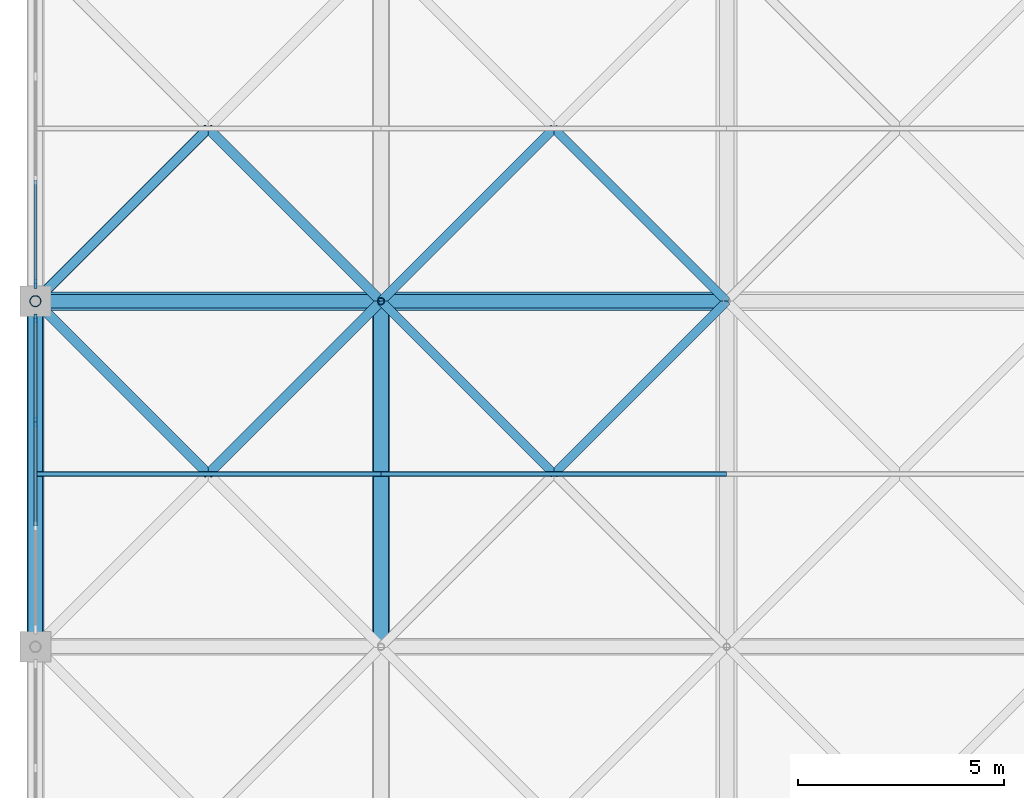
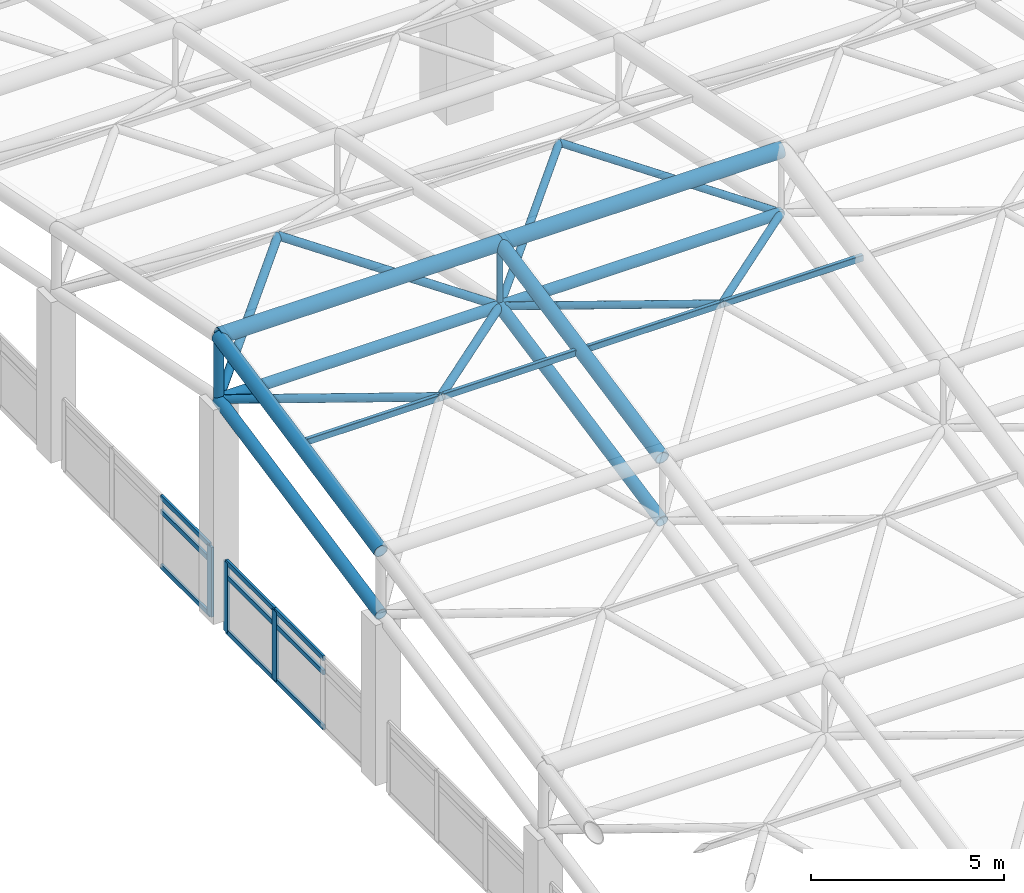
# One storey, part 28 of 81: 32 members, 2 elements without a shape of their own.
"""IFC4 building model written with IfcOpenShell, lengths in metres."""

from ifc_helpers import new_model, si_unit, direction, frame, origin, origin_2d, place, context, subcontext, project, spatial, rectangle, hollow_rectangle, hollow_circle, extrude, material, layer, layer_set, material_profile, profile_set, type_object, element, aggregate, save


model = new_model("IFC4")

# Units and contexts
model_context = context("Model", 3, precision=1e-05, world=origin(), true_north=direction((0.0, 1.0)))
body_context = subcontext(model_context, "Body", "Model", "MODEL_VIEW")
ifc_project = project(units=[si_unit("LENGTHUNIT", "METRE"), si_unit("AREAUNIT", "SQUARE_METRE"), si_unit("VOLUMEUNIT", "CUBIC_METRE"), si_unit("PLANEANGLEUNIT", "RADIAN"), si_unit("MASSUNIT", "GRAM", prefix="KILO")], contexts=[model_context])

# Site, building, storey
site_placement = place(None, origin())
site = spatial("IfcSite", under=ifc_project, at=site_placement, CompositionType="ELEMENT")
building_placement = place(site_placement, origin())
building = spatial("IfcBuilding", under=site, at=building_placement, Name="Qawsi Khor Wholesale Market", CompositionType="ELEMENT")
storey_placement = place(building_placement, frame((0.0, 0.0, 16.199951171875)))
storey = spatial("IfcBuildingStorey", under=building, at=storey_placement, Name="L03", CompositionType="ELEMENT", Elevation=16.199951171875)

# Curtain wall, members
ifc_material_1 = material(Name="Aluminium Anodised Bronze", Category="aluminium")
ifc_layer = layer(ifc_material_1, 0.199951171875, Name="Aluminium Anodised Bronze")
ifc_layer_set = layer_set([ifc_layer], Name="Aluminium Anodised Bronze")
curtain_wall_type = type_object("IfcCurtainWallType", Name="Trading Hall North-Light Curtain Wall CW-03", PredefinedType="NOTDEFINED", material=ifc_layer_set)
curtain_wall_1_placement = place(storey_placement, origin())
curtain_wall_1 = element("IfcCurtainWall", 1, at=curtain_wall_1_placement, inside=storey, type_object=curtain_wall_type, Name="Curtain wall CW-CW-03-L03-135", PredefinedType="NOTDEFINED")
ifc_material_profile_1 = material_profile(ifc_material_1, rectangle(XDim=0.074951171875, YDim=0.219970703125, at=origin_2d()), Name="ALU MULLION 75x220")
ifc_profile_set_1 = profile_set([ifc_material_profile_1], Name="Aluminium Anodised Bronze")
member_type_1 = type_object("IfcMemberType", Name="Curtain Wall Mullion CW-03 ALU MULLION 75x220", PredefinedType="MULLION", material=ifc_profile_set_1)
member_1_placement = place(storey_placement, frame((0.0, 72.6591796875, -0.300048828125), z_axis=(0.0, 0.0, 1.0), x_axis=(1.0, 0.0, 0.0)))
member_1 = element("IfcMember", 2, at=member_1_placement, type_object=member_type_1, Name="Mullion CW-CW-03-L03-135-M02", PredefinedType="MULLION", context=body_context, shape_type="SweptSolid", body=[
    extrude(rectangle(XDim=0.074951171875, YDim=0.219970703125, at=origin_2d()), origin(), (0.0, 0.0, 1.0), 2.2001953125),
])
member_2_placement = place(storey_placement, frame((0.0, 75.177490234375, -0.300048828125), z_axis=(0.0, 0.0, 1.0), x_axis=(1.0, 0.0, 0.0)))
member_2 = element("IfcMember", 3, at=member_2_placement, type_object=member_type_1, Name="Mullion CW-CW-03-L03-135-M03", PredefinedType="MULLION", context=body_context, shape_type="SweptSolid", body=[
    extrude(rectangle(XDim=0.074951171875, YDim=0.219970703125, at=origin_2d()), origin(), (0.0, 0.0, 1.0), 2.2001953125),
])

# Curtain wall, member
curtain_wall_2_placement = place(storey_placement, origin())
curtain_wall_2 = element("IfcCurtainWall", 4, at=curtain_wall_2_placement, inside=storey, type_object=curtain_wall_type, Name="Curtain wall CW-CW-03-L03-137", PredefinedType="NOTDEFINED")
member_3_placement = place(storey_placement, frame((0.0, 76.0224609375, -0.300048828125), z_axis=(0.0, 0.0, 1.0), x_axis=(1.0, 0.0, 0.0)))
member_3 = element("IfcMember", 5, at=member_3_placement, type_object=member_type_1, Name="Mullion CW-CW-03-L03-137-M00", PredefinedType="MULLION", context=body_context, shape_type="SweptSolid", body=[
    extrude(rectangle(XDim=0.074951171875, YDim=0.219970703125, at=origin_2d()), origin(), (0.0, 0.0, 1.0), 2.2001953125),
])

# Member
ifc_material_profile_2 = material_profile(ifc_material_1, rectangle(XDim=0.070068359375, YDim=0.14990234375, at=origin_2d()), Name="ALU TRANSOM 70x150")
ifc_profile_set_2 = profile_set([ifc_material_profile_2], Name="Aluminium Anodised Bronze")
member_type_2 = type_object("IfcMemberType", Name="Curtain Wall Transom CW-03 ALU TRANSOM 70x150", PredefinedType="USERDEFINED", material=ifc_profile_set_2)
member_4_placement = place(storey_placement, frame((0.0, 70.140869140625, -0.280029296875), z_axis=(0.0, 1.0, 0.0), x_axis=(-1.0, 0.0, 0.0)))
member_4 = element("IfcMember", 6, at=member_4_placement, type_object=member_type_2, Name="Transom CW-CW-03-L03-135-T0_01", ObjectType="TRANSOM", PredefinedType="USERDEFINED", context=body_context, shape_type="SweptSolid", body=[
    extrude(rectangle(XDim=0.070068359375, YDim=0.14990234375, at=origin_2d()), origin(), (0.0, 0.0, 1.0), 2.518310546875),
])

member_5_placement = place(storey_placement, frame((0.0, 72.6591796875, -0.280029296875), z_axis=(0.0, 1.0, 0.0), x_axis=(-1.0, 0.0, 0.0)))
member_5 = element("IfcMember", 7, at=member_5_placement, type_object=member_type_2, Name="Transom CW-CW-03-L03-135-T0_02", ObjectType="TRANSOM", PredefinedType="USERDEFINED", context=body_context, shape_type="SweptSolid", body=[
    extrude(rectangle(XDim=0.070068359375, YDim=0.14990234375, at=origin_2d()), origin(), (0.0, 0.0, 1.0), 2.518310546875),
])

member_6_placement = place(storey_placement, frame((0.0, 70.140869140625, 1.449951171875), z_axis=(0.0, 1.0, 0.0), x_axis=(-1.0, 0.0, 0.0)))
member_6 = element("IfcMember", 8, at=member_6_placement, type_object=member_type_2, Name="Transom CW-CW-03-L03-135-T1_01", ObjectType="TRANSOM", PredefinedType="USERDEFINED", context=body_context, shape_type="SweptSolid", body=[
    extrude(rectangle(XDim=0.070068359375, YDim=0.14990234375, at=origin_2d()), origin(), (0.0, 0.0, 1.0), 2.518310546875),
])

member_7_placement = place(storey_placement, frame((0.0, 72.6591796875, 1.449951171875), z_axis=(0.0, 1.0, 0.0), x_axis=(-1.0, 0.0, 0.0)))
member_7 = element("IfcMember", 9, at=member_7_placement, type_object=member_type_2, Name="Transom CW-CW-03-L03-135-T1_02", ObjectType="TRANSOM", PredefinedType="USERDEFINED", context=body_context, shape_type="SweptSolid", body=[
    extrude(rectangle(XDim=0.070068359375, YDim=0.14990234375, at=origin_2d()), origin(), (0.0, 0.0, 1.0), 2.518310546875),
])

member_8_placement = place(storey_placement, frame((0.0, 70.140869140625, 1.900146484375), z_axis=(0.0, 1.0, 0.0), x_axis=(-1.0, 0.0, 0.0)))
member_8 = element("IfcMember", 10, at=member_8_placement, type_object=member_type_2, Name="Transom CW-CW-03-L03-135-T2_01", ObjectType="TRANSOM", PredefinedType="USERDEFINED", context=body_context, shape_type="SweptSolid", body=[
    extrude(rectangle(XDim=0.070068359375, YDim=0.14990234375, at=origin_2d()), origin(), (0.0, 0.0, 1.0), 2.518310546875),
])

member_9_placement = place(storey_placement, frame((0.0, 72.6591796875, 1.900146484375), z_axis=(0.0, 1.0, 0.0), x_axis=(-1.0, 0.0, 0.0)))
member_9 = element("IfcMember", 11, at=member_9_placement, type_object=member_type_2, Name="Transom CW-CW-03-L03-135-T2_02", ObjectType="TRANSOM", PredefinedType="USERDEFINED", context=body_context, shape_type="SweptSolid", body=[
    extrude(rectangle(XDim=0.070068359375, YDim=0.14990234375, at=origin_2d()), origin(), (0.0, 0.0, 1.0), 2.518310546875),
])

aggregate(curtain_wall_1, [member_1, member_2, member_4, member_5, member_6, member_7, member_8, member_9])

member_10_placement = place(storey_placement, frame((0.0, 76.0224609375, -0.280029296875), z_axis=(0.0, 1.0, 0.0), x_axis=(-1.0, 0.0, 0.0)))
member_10 = element("IfcMember", 12, at=member_10_placement, type_object=member_type_2, Name="Transom CW-CW-03-L03-137-T0_00", ObjectType="TRANSOM", PredefinedType="USERDEFINED", context=body_context, shape_type="SweptSolid", body=[
    extrude(rectangle(XDim=0.070068359375, YDim=0.14990234375, at=origin_2d()), origin(), (0.0, 0.0, 1.0), 2.518310546875),
])

member_11_placement = place(storey_placement, frame((0.0, 76.0224609375, 1.449951171875), z_axis=(0.0, 1.0, 0.0), x_axis=(-1.0, 0.0, 0.0)))
member_11 = element("IfcMember", 13, at=member_11_placement, type_object=member_type_2, Name="Transom CW-CW-03-L03-137-T1_00", ObjectType="TRANSOM", PredefinedType="USERDEFINED", context=body_context, shape_type="SweptSolid", body=[
    extrude(rectangle(XDim=0.070068359375, YDim=0.14990234375, at=origin_2d()), origin(), (0.0, 0.0, 1.0), 2.518310546875),
])

member_12_placement = place(storey_placement, frame((0.0, 76.0224609375, 1.900146484375), z_axis=(0.0, 1.0, 0.0), x_axis=(-1.0, 0.0, 0.0)))
member_12 = element("IfcMember", 14, at=member_12_placement, type_object=member_type_2, Name="Transom CW-CW-03-L03-137-T2_00", ObjectType="TRANSOM", PredefinedType="USERDEFINED", context=body_context, shape_type="SweptSolid", body=[
    extrude(rectangle(XDim=0.070068359375, YDim=0.14990234375, at=origin_2d()), origin(), (0.0, 0.0, 1.0), 2.518310546875),
])

aggregate(curtain_wall_2, [member_3, member_10, member_11, member_12])

# Members
ifc_material_2 = material(Name="Steel S355", Category="steel")
ifc_material_profile_3 = material_profile(ifc_material_2, hollow_circle(Radius=0.177734375, WallThickness=0.01611328125, at=origin_2d()), Name="CHS 355.6x16.0")
ifc_profile_set_3 = profile_set([ifc_material_profile_3], Name="Steel S355")
member_type_3 = type_object("IfcMemberType", Name="Space-Frame Bottom Chord CHS 355.6x16.0", PredefinedType="CHORD", material=ifc_profile_set_3)
for number, where, z_axis, x_axis, name in (
    (15, (0.0, 67.199951171875, 5.070068359375), (0.0, 0.98013111127, 0.198350711418), (-1.0, 0.0, 0.0), "Space frame bottom chord Y WH (0,8)"),
    (16, (8.39990234375, 67.199951171875, 5.070068359375), (0.0, 0.98013111127, 0.198350711418), (-1.0, 0.0, 0.0), "Space frame bottom chord Y WH (1,8)"),
):
    element("IfcMember", number, at=place(storey_placement, frame(where, z_axis=z_axis, x_axis=x_axis)), inside=storey, type_object=member_type_3, Name=name, PredefinedType="CHORD", context=body_context, shape_type="SweptSolid", body=[
        extrude(hollow_circle(Radius=0.177734375, WallThickness=0.01611328125, at=origin_2d()), origin(), (0.0, 0.0, 1.0), 8.5703125),
    ])
ifc_material_profile_4 = material_profile(ifc_material_2, hollow_circle(Radius=0.136474609375, WallThickness=0.012451171875, at=origin_2d()), Name="CHS 273.0x12.5")
ifc_profile_set_4 = profile_set([ifc_material_profile_4], Name="Steel S355")
member_type_4 = type_object("IfcMemberType", Name="Space-Frame Edge Post CHS 273.0x12.5", PredefinedType="POST", material=ifc_profile_set_4)
member_13_placement = place(storey_placement, frame((0.0, 75.60009765625, 6.77001953125), z_axis=(0.0, 0.0, 1.0), x_axis=(1.0, 0.0, 0.0)))
element("IfcMember", 17, at=member_13_placement, inside=storey, type_object=member_type_4, Name="Space frame post WH (0,9)", PredefinedType="POST", context=body_context, shape_type="SweptSolid", body=[
    extrude(hollow_circle(Radius=0.136474609375, WallThickness=0.012451171875, at=origin_2d()), origin(), (0.0, 0.0, 1.0), 2.0),
])
ifc_material_profile_5 = material_profile(ifc_material_2, hollow_circle(Radius=0.122314453125, WallThickness=0.012451171875, at=origin_2d()), Name="CHS 244.5x12.5")
ifc_profile_set_5 = profile_set([ifc_material_profile_5], Name="Steel S355")
member_type_5 = type_object("IfcMemberType", Name="Space-Frame Heavy Diagonal CHS 244.5x12.5", PredefinedType="POST", material=ifc_profile_set_5)
for number, where, z_axis, x_axis, name in (
    (18, (8.39990234375, 75.60009765625, 6.77001953125), (-0.694191941586, -0.694232294544, 0.190102786538), (0.707127332136, -0.70708622964, 0.0), "Space frame diagonal WH (0,8)-3"),
    (19, (0.0, 75.60009765625, 6.77001953125), (0.694191941586, -0.694232294544, 0.190102786538), (0.707127332136, 0.70708622964, 0.0), "Space frame diagonal WH (0,8)-4"),
    (20, (0.0, 75.60009765625, 6.77001953125), (0.694211389158, 0.694211389158, 0.190108112208), (-0.707106781187, 0.707106781187, 0.0), "Space frame diagonal WH (0,9)-1"),
    (21, (8.39990234375, 75.60009765625, 6.77001953125), (-0.694211389158, 0.694211389158, 0.190108112208), (-0.707106781187, -0.707106781187, 0.0), "Space frame diagonal WH (0,9)-2"),
):
    element("IfcMember", number, at=place(storey_placement, frame(where, z_axis=z_axis, x_axis=x_axis)), inside=storey, type_object=member_type_5, Name=name, PredefinedType="POST", context=body_context, shape_type="SweptSolid", body=[
        extrude(hollow_circle(Radius=0.122314453125, WallThickness=0.012451171875, at=origin_2d()), origin(), (0.0, 0.0, 1.0), 6.050048828125),
    ])
ifc_material_profile_6 = material_profile(ifc_material_2, hollow_rectangle(XDim=0.1201171875, YDim=0.199951171875, WallThickness=0.008056640625, InnerFilletRadius=0.008056640625, OuterFilletRadius=0.01611328125, at=origin_2d()), Name="RHS 200x120x8.0")
ifc_profile_set_6 = profile_set([ifc_material_profile_6], Name="Steel S355")
member_type_6 = type_object("IfcMemberType", Name="Space-Frame Heavy Purlin RHS 200x120x8.0", PredefinedType="PURLIN", material=ifc_profile_set_6)
member_14_placement = place(storey_placement, frame((0.0, 71.39990234375, 7.920166015625), z_axis=(1.0, 0.0, 0.0), x_axis=(0.0, 1.0, 0.0)))
element("IfcMember", 22, at=member_14_placement, inside=storey, type_object=member_type_6, Name="Space frame purlin WH (0,8)", PredefinedType="PURLIN", context=body_context, shape_type="SweptSolid", body=[
    extrude(hollow_rectangle(XDim=0.1201171875, YDim=0.199951171875, WallThickness=0.008056640625, InnerFilletRadius=0.008056640625, OuterFilletRadius=0.01611328125, at=origin_2d()), origin(), (0.0, 0.0, 1.0), 8.39990234375),
])
member_15_placement = place(storey_placement, frame((8.39990234375, 71.39990234375, 7.920166015625), z_axis=(1.0, 0.0, 0.0), x_axis=(0.0, 1.0, 0.0)))
element("IfcMember", 23, at=member_15_placement, inside=storey, type_object=member_type_6, Name="Space frame purlin WH (1,8)", PredefinedType="PURLIN", context=body_context, shape_type="SweptSolid", body=[
    extrude(hollow_rectangle(XDim=0.1201171875, YDim=0.199951171875, WallThickness=0.008056640625, InnerFilletRadius=0.008056640625, OuterFilletRadius=0.01611328125, at=origin_2d()), origin(), (0.0, 0.0, 1.0), 8.400146484375),
])
ifc_material_profile_7 = material_profile(ifc_material_2, hollow_circle(Radius=0.109619140625, WallThickness=0.010009765625, at=origin_2d()), Name="CHS 219.1x10.0")
ifc_profile_set_7 = profile_set([ifc_material_profile_7], Name="Steel S355")
member_type_7 = type_object("IfcMemberType", Name="Space-Frame Inner Diagonal CHS 219.1x10.0", PredefinedType="RAFTER", material=ifc_profile_set_7)
member_16_placement = place(storey_placement, frame((16.800048828125, 75.60009765625, 6.77001953125), z_axis=(-0.694191941586, -0.694232294544, 0.190102786538), x_axis=(0.707127332136, -0.70708622964, 0.0)))
element("IfcMember", 24, at=member_16_placement, inside=storey, type_object=member_type_7, Name="Space frame diagonal WH (1,8)-3", PredefinedType="RAFTER", context=body_context, shape_type="SweptSolid", body=[
    extrude(hollow_circle(Radius=0.109619140625, WallThickness=0.010009765625, at=origin_2d()), origin(), (0.0, 0.0, 1.0), 6.050048828125),
])
member_17_placement = place(storey_placement, frame((8.39990234375, 75.60009765625, 6.77001953125), z_axis=(0.694212847476, -0.694212847476, 0.190097461315), x_axis=(0.707106781187, 0.707106781187, 0.0)))
element("IfcMember", 25, at=member_17_placement, inside=storey, type_object=member_type_7, Name="Space frame diagonal WH (1,8)-4", PredefinedType="RAFTER", context=body_context, shape_type="SweptSolid", body=[
    extrude(hollow_circle(Radius=0.109619140625, WallThickness=0.010009765625, at=origin_2d()), origin(), (0.0, 0.0, 1.0), 6.05029296875),
])
for number, where, z_axis, x_axis, name in (
    (26, (8.39990234375, 75.60009765625, 6.77001953125), (0.694232294544, 0.694191941586, 0.190102786538), (-0.70708622964, 0.707127332136, 0.0), "Space frame diagonal WH (1,9)-1"),
    (27, (16.800048828125, 75.60009765625, 6.77001953125), (-0.694211389158, 0.694211389158, 0.190108112208), (-0.707106781187, -0.707106781187, 0.0), "Space frame diagonal WH (1,9)-2"),
):
    element("IfcMember", number, at=place(storey_placement, frame(where, z_axis=z_axis, x_axis=x_axis)), inside=storey, type_object=member_type_7, Name=name, PredefinedType="RAFTER", context=body_context, shape_type="SweptSolid", body=[
        extrude(hollow_circle(Radius=0.109619140625, WallThickness=0.010009765625, at=origin_2d()), origin(), (0.0, 0.0, 1.0), 6.050048828125),
    ])
ifc_material_profile_8 = material_profile(ifc_material_2, hollow_circle(Radius=0.228515625, WallThickness=0.02001953125, at=origin_2d()), Name="CHS 457.0x20.0")
ifc_profile_set_8 = profile_set([ifc_material_profile_8], Name="Steel S355")
member_type_8 = type_object("IfcMemberType", Name="Space-Frame Ridge Chord CHS 457.0x20.0", PredefinedType="CHORD", material=ifc_profile_set_8)
member_18_placement = place(storey_placement, frame((0.0, 75.60009765625, 8.77001953125), z_axis=(1.0, 0.0, 0.0), x_axis=(0.0, 1.0, 0.0)))
element("IfcMember", 28, at=member_18_placement, inside=storey, type_object=member_type_8, Name="Space frame top chord X WH (0,9)", PredefinedType="CHORD", context=body_context, shape_type="SweptSolid", body=[
    extrude(hollow_circle(Radius=0.228515625, WallThickness=0.02001953125, at=origin_2d()), origin(), (0.0, 0.0, 1.0), 8.39990234375),
])
member_19_placement = place(storey_placement, frame((8.39990234375, 75.60009765625, 8.77001953125), z_axis=(1.0, 0.0, 0.0), x_axis=(0.0, 1.0, 0.0)))
element("IfcMember", 29, at=member_19_placement, inside=storey, type_object=member_type_8, Name="Space frame top chord X WH (1,9)", PredefinedType="CHORD", context=body_context, shape_type="SweptSolid", body=[
    extrude(hollow_circle(Radius=0.228515625, WallThickness=0.02001953125, at=origin_2d()), origin(), (0.0, 0.0, 1.0), 8.400146484375),
])
ifc_material_profile_9 = material_profile(ifc_material_2, hollow_circle(Radius=0.161865234375, WallThickness=0.01611328125, at=origin_2d()), Name="CHS 323.9x16.0")
ifc_profile_set_9 = profile_set([ifc_material_profile_9], Name="Steel S355")
member_type_9 = type_object("IfcMemberType", Name="Space-Frame Secondary Chord CHS 323.9x16.0", PredefinedType="CHORD", material=ifc_profile_set_9)
member_20_placement = place(storey_placement, frame((0.0, 75.60009765625, 6.77001953125), z_axis=(1.0, 0.0, 0.0), x_axis=(0.0, 1.0, 0.0)))
element("IfcMember", 30, at=member_20_placement, inside=storey, type_object=member_type_9, Name="Space frame bottom chord X WH (0,9)", PredefinedType="CHORD", context=body_context, shape_type="SweptSolid", body=[
    extrude(hollow_circle(Radius=0.161865234375, WallThickness=0.01611328125, at=origin_2d()), origin(), (0.0, 0.0, 1.0), 8.39990234375),
])
member_21_placement = place(storey_placement, frame((8.39990234375, 75.60009765625, 6.77001953125), z_axis=(1.0, 0.0, 0.0), x_axis=(0.0, 1.0, 0.0)))
element("IfcMember", 31, at=member_21_placement, inside=storey, type_object=member_type_9, Name="Space frame bottom chord X WH (1,9)", PredefinedType="CHORD", context=body_context, shape_type="SweptSolid", body=[
    extrude(hollow_circle(Radius=0.161865234375, WallThickness=0.01611328125, at=origin_2d()), origin(), (0.0, 0.0, 1.0), 8.400146484375),
])
ifc_material_profile_10 = material_profile(ifc_material_2, hollow_circle(Radius=0.203125, WallThickness=0.02001953125, at=origin_2d()), Name="CHS 406.4x20.0")
ifc_profile_set_10 = profile_set([ifc_material_profile_10], Name="Steel S355")
member_type_10 = type_object("IfcMemberType", Name="Space-Frame Top Chord CHS 406.4x20.0", PredefinedType="CHORD", material=ifc_profile_set_10)
for number, where, z_axis, x_axis, name in (
    (32, (0.0, 67.199951171875, 7.070068359375), (0.0, 0.98013111127, 0.198350711418), (-1.0, 0.0, 0.0), "Space frame top chord Y WH (0,8)"),
    (33, (8.39990234375, 67.199951171875, 7.070068359375), (0.0, 0.98013111127, 0.198350711418), (-1.0, 0.0, 0.0), "Space frame top chord Y WH (1,8)"),
):
    element("IfcMember", number, at=place(storey_placement, frame(where, z_axis=z_axis, x_axis=x_axis)), inside=storey, type_object=member_type_10, Name=name, PredefinedType="CHORD", context=body_context, shape_type="SweptSolid", body=[
        extrude(hollow_circle(Radius=0.203125, WallThickness=0.02001953125, at=origin_2d()), origin(), (0.0, 0.0, 1.0), 8.5703125),
    ])
ifc_material_profile_11 = material_profile(ifc_material_2, hollow_circle(Radius=0.084228515625, WallThickness=0.008056640625, at=origin_2d()), Name="CHS 168.3x8.0")
ifc_profile_set_11 = profile_set([ifc_material_profile_11], Name="Steel S355")
member_type_11 = type_object("IfcMemberType", Name="Space-Frame Vertical Strut CHS 168.3x8.0", PredefinedType="STRUT", material=ifc_profile_set_11)
member_22_placement = place(storey_placement, frame((8.39990234375, 75.60009765625, 6.77001953125), z_axis=(0.0, 0.0, 1.0), x_axis=(1.0, 0.0, 0.0)))
element("IfcMember", 34, at=member_22_placement, inside=storey, type_object=member_type_11, Name="Space frame post WH (1,9)", PredefinedType="STRUT", context=body_context, shape_type="SweptSolid", body=[
    extrude(hollow_circle(Radius=0.084228515625, WallThickness=0.008056640625, at=origin_2d()), origin(), (0.0, 0.0, 1.0), 2.0),
])

save(model, "model.ifc")
